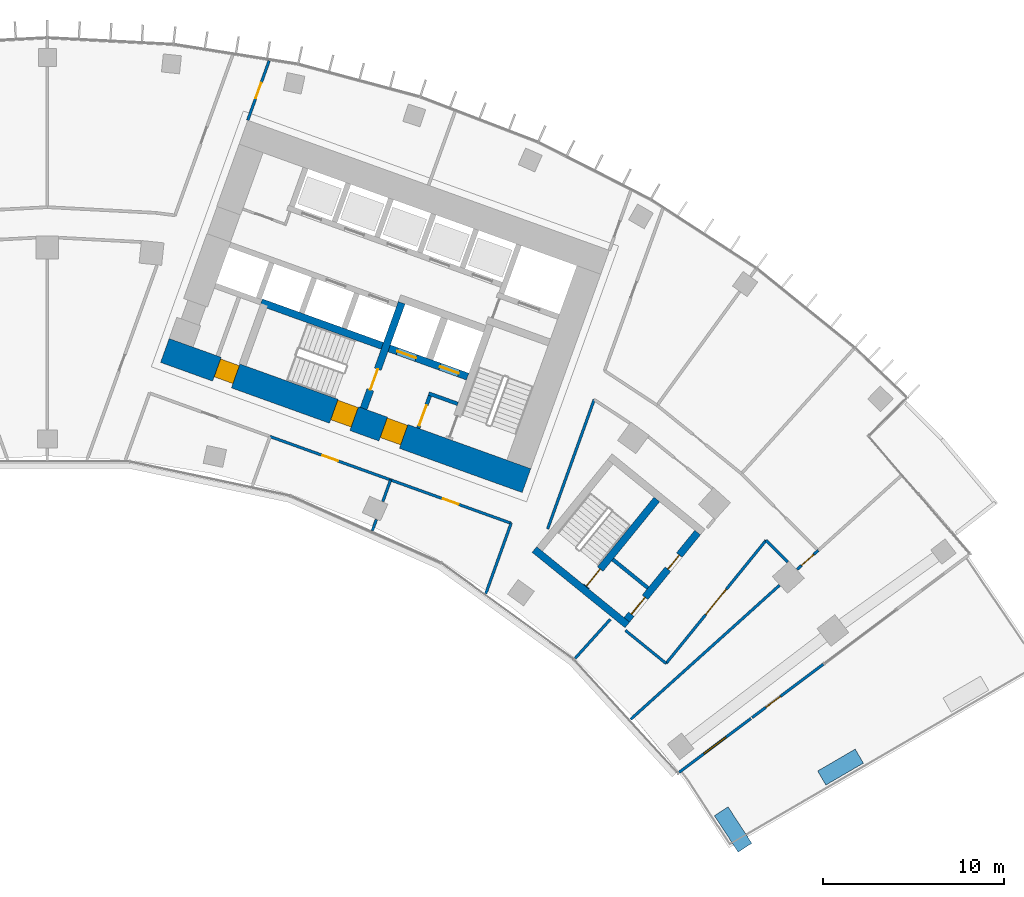
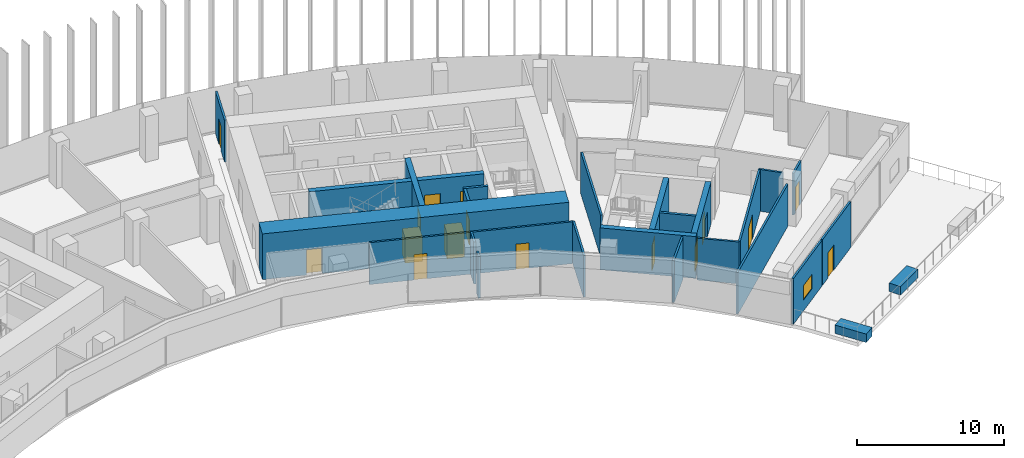
# One storey, part 18 of 23: 26 walls, 16 doors, 1 window, 17 openings.
"""IFC4 building model written with IfcOpenShell, lengths in metres."""

import ifcopenshell
import ifcopenshell.guid

model = None  # the IFC model being written
_history = None  # IfcOwnerHistory: only IFC2X3 demands one
_inside = {}  # id of a spatial element -> (the spatial element, [elements in it])
_under = {}  # id of a project, library or spatial element -> (it, [spatial elements below it])
_declared = {}  # id of a project -> (the project, [libraries it declares])
_typed = {}  # id of a type object -> (the type object, [elements of that type])
_made_of = {}  # id of a material, layer set ... -> (it, [elements and type objects made of it])


def new_model(schema):
    """Start an empty IFC model of exactly this schema.

    Asked for "IFC4X3", IfcOpenShell would pick the latest addendum, in which some entities
    have other attributes; the version numbers below select the first issue.
    IFC2X3 requires an IfcOwnerHistory on every rooted entity: one is made here for all.
    """
    global model, _history
    if schema == "IFC4X3":
        model = ifcopenshell.file(schema_version=(4, 3, 0, 0))
    else:
        model = ifcopenshell.file(schema=schema)
    _inside.clear()
    _under.clear()
    _declared.clear()
    _typed.clear()
    _made_of.clear()
    _history = None
    if model.schema == "IFC2X3":
        org = make("IfcOrganization", Name="unknown")
        user = make(
            "IfcPersonAndOrganization",
            ThePerson=make("IfcPerson", FamilyName="unknown"),
            TheOrganization=org,
        )
        app = make(
            "IfcApplication",
            ApplicationDeveloper=org,
            Version="unknown",
            ApplicationFullName="unknown",
            ApplicationIdentifier="unknown",
        )
        _history = make(
            "IfcOwnerHistory",
            OwningUser=user,
            OwningApplication=app,
            ChangeAction="ADDED",
            CreationDate=0,
        )
    return model


def make(cls, **values):
    """One entity of the class cls with the attributes given. An attribute that is None is left unset."""
    return model.create_entity(
        cls, **{name: value for name, value in values.items() if value is not None}
    )


def rooted(cls, **values):
    """An entity with a GlobalId (a new one), such as an element, a storey or a relation."""
    return make(cls, GlobalId=ifcopenshell.guid.new(), OwnerHistory=_history, **values)


def si_unit(unit_type, name, prefix=None):
    """IfcSIUnit, for example si_unit("LENGTHUNIT", "METRE", prefix="MILLI")."""
    return make("IfcSIUnit", UnitType=unit_type, Prefix=prefix, Name=name)


def assignment(units):
    """IfcUnitAssignment: the units of a project."""
    return None if units is None else make("IfcUnitAssignment", Units=units)


def point(xyz):
    """IfcCartesianPoint."""
    return None if xyz is None else make("IfcCartesianPoint", Coordinates=xyz)


def direction(xyz):
    """IfcDirection."""
    return None if xyz is None else make("IfcDirection", DirectionRatios=xyz)


def frame(location, z_axis=None, x_axis=None):
    """IfcAxis2Placement3D, a coordinate frame: its origin and axes. An axis left out is left unset."""
    return make(
        "IfcAxis2Placement3D",
        Location=point(location),
        Axis=direction(z_axis),
        RefDirection=direction(x_axis),
    )


def frame_2d(location, x_axis=None):
    """IfcAxis2Placement2D, a coordinate frame in the plane: its origin and x axis."""
    return make(
        "IfcAxis2Placement2D", Location=point(location), RefDirection=direction(x_axis)
    )


def origin():
    """The frame at (0, 0, 0) with its axes left unset."""
    return frame((0.0, 0.0, 0.0))


def origin_2d():
    """The frame at (0, 0) in the plane with its x axis left unset."""
    return frame_2d((0.0, 0.0))


def place(relative_to, where):
    """IfcLocalPlacement: puts the frame where relative to a parent placement (None: the world)."""
    return make(
        "IfcLocalPlacement", PlacementRelTo=relative_to, RelativePlacement=where
    )


def context(
    kind, dimensions, precision=None, world=None, true_north=None, identifier=None
):
    """IfcGeometricRepresentationContext, for example the 3D "Model" context."""
    return make(
        "IfcGeometricRepresentationContext",
        ContextIdentifier=identifier,
        ContextType=kind,
        CoordinateSpaceDimension=dimensions,
        Precision=precision,
        WorldCoordinateSystem=world,
        TrueNorth=true_north,
    )


def subcontext(parent, identifier, kind, view, scale=None):
    """IfcGeometricRepresentationSubContext, for example "Body" below "Model"."""
    return make(
        "IfcGeometricRepresentationSubContext",
        ContextIdentifier=identifier,
        ContextType=kind,
        ParentContext=parent,
        TargetScale=scale,
        TargetView=view,
    )


def project(units=None, contexts=None):
    """IfcProject with its units and contexts."""
    return rooted(
        "IfcProject",
        Name="project",
        RepresentationContexts=contexts,
        UnitsInContext=assignment(units),
    )


def spatial(cls, under=None, at=None, **own):
    """A site, building, storey or space (cls), placed at a placement, below another one or the project."""
    s = rooted(cls, ObjectPlacement=at, **own)
    if under is not None:
        _under.setdefault(under.id(), (under, []))[1].append(s)
    return s


def profile(cls, at=None, kind="AREA", **sizes):
    """A parametric profile (cls). Its sizes go by their IFC names, for example OverallWidth=200.0."""
    return make(cls, ProfileType=kind, Position=at, **sizes)


def rectangle(**sizes):
    """IfcRectangleProfileDef."""
    return profile("IfcRectangleProfileDef", **sizes)


def extrude(swept, where, along, depth):
    """IfcExtrudedAreaSolid: the profile swept, set in the frame where, extruded along a direction by depth."""
    return make(
        "IfcExtrudedAreaSolid",
        SweptArea=swept,
        Position=where,
        ExtrudedDirection=direction(along),
        Depth=depth,
    )


def shape(context_of_items, identifier, shape_type, items):
    """IfcShapeRepresentation: the items that make up one representation, for example the "Body"."""
    return make(
        "IfcShapeRepresentation",
        ContextOfItems=context_of_items,
        RepresentationIdentifier=identifier,
        RepresentationType=shape_type,
        Items=items,
    )


def material(Name=None, Category=None):
    """IfcMaterial."""
    return make("IfcMaterial", Name=Name, Category=Category)


def layer(
    of_material, thickness, ventilated=None, Name=None, Category=None, Priority=None
):
    """IfcMaterialLayer: one layer of a wall or slab, of a material (None: an air gap)."""
    return make(
        "IfcMaterialLayer",
        Material=of_material,
        LayerThickness=thickness,
        IsVentilated=ventilated,
        Name=Name,
        Category=Category,
        Priority=Priority,
    )


def layer_set(layers, Name=None):
    """IfcMaterialLayerSet."""
    return make("IfcMaterialLayerSet", MaterialLayers=layers, LayerSetName=Name)


def made_of(thing, what):
    """Note that an element or type object is made of a material, layer set ...; save() writes the relation."""
    if what is not None:
        _made_of.setdefault(what.id(), (what, []))[1].append(thing)
    return thing


def type_object(cls, material=None, **own):
    """A type object (cls), such as IfcWallType, which elements share."""
    return made_of(rooted(cls, **own), material)


def element(
    cls,
    number,
    at=None,
    inside=None,
    cuts=None,
    type_object=None,
    material=None,
    context=None,
    identifier="Body",
    shape_type=None,
    held_by="IfcProductDefinitionShape",
    body=None,
    shapes=None,
    **own,
):
    """One element of the class cls, such as IfcWall. Its Tag is "e" and its number.

    at: its placement. inside: the storey or other place that contains it. cuts: it is an
    opening in that element (IfcRelVoidsElement). A single representation is given by context,
    identifier, shape_type and body (its items); several are given by shapes. held_by: the class
    of the entity that holds the representations. save() writes the other relations.
    """
    e = rooted(cls, Tag="e%d" % number, ObjectPlacement=at, **own)
    if body is not None:
        shapes = [shape(context, identifier, shape_type, body)]
    if shapes is not None:
        e.Representation = make(held_by, Representations=shapes)
    if inside is not None:
        _inside.setdefault(inside.id(), (inside, []))[1].append(e)
    if cuts is not None:
        rooted(
            "IfcRelVoidsElement", RelatingBuildingElement=cuts, RelatedOpeningElement=e
        )
    if type_object is not None:
        _typed.setdefault(type_object.id(), (type_object, []))[1].append(e)
    return made_of(e, material)


def fill(opening, filler):
    """IfcRelFillsElement: the door or window that sits in an opening."""
    return rooted(
        "IfcRelFillsElement",
        RelatingOpeningElement=opening,
        RelatedBuildingElement=filler,
    )


def aggregate(whole, parts):
    """IfcRelAggregates: a whole, such as a stair, and the parts it consists of."""
    return rooted("IfcRelAggregates", RelatingObject=whole, RelatedObjects=parts)


def save(model, path):
    """Write the relations noted so far, then the file.

    IfcRelAggregates (storeys below a building ...), IfcRelContainedInSpatialStructure (elements
    in a storey), IfcRelDefinesByType, IfcRelAssociatesMaterial and IfcRelDeclares: one each for
    every whole, place, type object, material and project.
    """
    for whole, parts in _under.values():
        aggregate(whole, parts)
    for where, things in _inside.values():
        rooted(
            "IfcRelContainedInSpatialStructure",
            RelatedElements=things,
            RelatingStructure=where,
        )
    for kind, things in _typed.values():
        rooted("IfcRelDefinesByType", RelatedObjects=things, RelatingType=kind)
    for what, things in _made_of.values():
        rooted("IfcRelAssociatesMaterial", RelatedObjects=things, RelatingMaterial=what)
    for by, libraries in _declared.values():
        rooted("IfcRelDeclares", RelatingContext=by, RelatedDefinitions=libraries)
    model.write(path)


model = new_model("IFC4")

# Units and contexts
model_context = context("Model", 3, precision=1e-05, world=origin(), true_north=direction((0.0, 1.0)))
body_context = subcontext(model_context, "Body", "Model", "MODEL_VIEW")
ifc_project = project(units=[si_unit("LENGTHUNIT", "METRE"), si_unit("AREAUNIT", "SQUARE_METRE"), si_unit("VOLUMEUNIT", "CUBIC_METRE"), si_unit("PLANEANGLEUNIT", "RADIAN"), si_unit("MASSUNIT", "GRAM", prefix="KILO")], contexts=[model_context])

# Site, building, storey
site_placement = place(None, origin())
site = spatial("IfcSite", under=ifc_project, at=site_placement, CompositionType="ELEMENT")
building_placement = place(site_placement, origin())
building = spatial("IfcBuilding", under=site, at=building_placement, Name="Stone Belt Terrace Tower", CompositionType="ELEMENT")
storey_placement = place(building_placement, frame((0.0, 0.0, 144.0)))
storey = spatial("IfcBuildingStorey", under=building, at=storey_placement, Name="L34", CompositionType="ELEMENT", Elevation=144.0)

# Wall, opening, window
ifc_material_1 = material(Name="Terracotta coloured glazed ceramic", Category="masonry")
ifc_layer_1 = layer(ifc_material_1, 0.14990234375)
ifc_layer_set_1 = layer_set([ifc_layer_1], Name="Ceramic rain-screen wall 150")
wall_type_1 = type_object("IfcWallType", Name="Ceramic rain-screen wall 150", PredefinedType="SOLIDWALL", material=ifc_layer_set_1)
wall_1_placement = place(storey_placement, frame((34.85400390625, 26.0478515625, 0.0), z_axis=(0.0, 0.0, 1.0), x_axis=(0.79997039425, 0.600039472305, 0.0)))
wall_1 = element("IfcWall", 1, at=wall_1_placement, inside=storey, type_object=wall_type_1, Name="Door wall L34", PredefinedType="SOLIDWALL", context=body_context, shape_type="SweptSolid", body=[
    extrude(rectangle(XDim=4.947998046875, YDim=0.14990234375, at=frame_2d((2.47412109375, 0.0))), origin(), (0.0, 0.0, 1.0), 3.800048828125),
])
opening_1_placement = place(wall_1_placement, frame((1.72412109375, 0.0, 0.89990234375)))
opening_1 = element("IfcOpeningElement", 2, at=opening_1_placement, cuts=wall_1, Name="Opening L34-E01", PredefinedType="OPENING", context=body_context, shape_type="SweptSolid", body=[
    extrude(rectangle(XDim=1.5, YDim=1.199951171875, at=frame_2d((0.75, 0.60009765625))), frame((0.0, 0.0849609375, 0.0), z_axis=(0.0, -1.0, 0.0), x_axis=(1.0, 0.0, 0.0)), (0.0, 0.0, 1.0), 0.169921875),
])
ifc_material_2 = material(Name="Anodised aluminium window frame", Category="aluminium")
window_type = type_object("IfcWindowType", Name="Conservatory vent window 1500 x 1200", PartitioningType="SINGLE_PANEL", PredefinedType="WINDOW", material=ifc_material_2)
window_placement = place(opening_1_placement, origin())
window = element("IfcWindow", 3, at=window_placement, inside=storey, type_object=window_type, Name="Conservatory vent window L34", OverallHeight=1.199951171875, OverallWidth=1.5, PartitioningType="SINGLE_PANEL", PredefinedType="WINDOW", context=body_context, shape_type="SweptSolid", body=[
    extrude(rectangle(XDim=1.5, YDim=1.199951171875, at=frame_2d((0.75, 0.60009765625))), frame((0.0, 0.030029296875, 0.0), z_axis=(0.0, -1.0, 0.0), x_axis=(1.0, 0.0, 0.0)), (0.0, 0.0, 1.0), 0.06005859375),
])
fill(opening_1, window)

# Wall, opening, door
wall_2_placement = place(storey_placement, frame((38.87646484375, 29.06494140625, 0.0), z_axis=(0.0, 0.0, 1.0), x_axis=(0.799994045039, 0.600007939865, 0.0)))
wall_2 = element("IfcWall", 4, at=wall_2_placement, inside=storey, type_object=wall_type_1, Name="Door wall L34", PredefinedType="SOLIDWALL", context=body_context, shape_type="SweptSolid", body=[
    extrude(rectangle(XDim=4.919677734375, YDim=0.14990234375, at=frame_2d((2.4599609375, 0.0))), origin(), (0.0, 0.0, 1.0), 3.800048828125),
])
opening_2_placement = place(wall_2_placement, frame((0.949951171875, 0.0, 0.0)))
opening_2 = element("IfcOpeningElement", 5, at=opening_2_placement, cuts=wall_2, Name="Opening L34-E02", PredefinedType="OPENING", context=body_context, shape_type="SweptSolid", body=[
    extrude(rectangle(XDim=1.0, YDim=2.10009765625, at=frame_2d((0.5, 1.050048828125))), frame((0.0, 0.0849609375, 0.0), z_axis=(0.0, -1.0, 0.0), x_axis=(1.0, 0.0, 0.0)), (0.0, 0.0, 1.0), 0.169921875),
])
ifc_material_3 = material(Name="Anodised aluminium glazed door", Category="aluminium")
door_type_1 = type_object("IfcDoorType", Name="Terrace door 1000 x 2100", OperationType="NOTDEFINED", PredefinedType="DOOR", material=ifc_material_3)
door_1_placement = place(opening_2_placement, origin())
door_1 = element("IfcDoor", 6, at=door_1_placement, inside=storey, type_object=door_type_1, Name="Terrace door L34", OperationType="SINGLE_SWING_RIGHT", OverallHeight=2.10009765625, OverallWidth=1.0, PredefinedType="DOOR", context=body_context, shape_type="SweptSolid", body=[
    extrude(rectangle(XDim=1.0, YDim=2.10009765625, at=frame_2d((0.5, 1.050048828125))), frame((0.0, 0.02490234375, 0.0), z_axis=(0.0, -1.0, 0.0), x_axis=(1.0, 0.0, 0.0)), (0.0, 0.0, 1.0), 0.050048828125),
])
fill(opening_2, door_1)

# Wall, openings, doors
ifc_material_4 = material(Name="Concrete B80", Category="concrete")
ifc_layer_2 = layer(ifc_material_4, 1.39990234375)
ifc_layer_set_2 = layer_set([ifc_layer_2], Name="Core wall 1400 B80")
wall_type_2 = type_object("IfcWallType", Name="Core wall 1400 B80", PredefinedType="SHEAR", material=ifc_layer_set_2)
wall_3_placement = place(storey_placement, frame((6.4833984375, 49.318115234375, 0.0), z_axis=(0.0, 0.0, 1.0), x_axis=(0.940923374003, -0.33861955681, 0.0)))
wall_3 = element("IfcWall", 7, at=wall_3_placement, inside=storey, type_object=wall_type_2, Name="Core B wall concave L34", PredefinedType="SHEAR", context=body_context, shape_type="SweptSolid", body=[
    extrude(rectangle(XDim=21.199951171875, YDim=1.39990234375, at=frame_2d((10.60009765625, 0.0))), origin(), (0.0, 0.0, 1.0), 3.800048828125),
])
opening_3_placement = place(wall_3_placement, frame((12.800048828125, 0.0, 0.0)))
opening_3 = element("IfcOpeningElement", 8, at=opening_3_placement, cuts=wall_3, Name="Opening L34-C16", PredefinedType="OPENING", context=body_context, shape_type="SweptSolid", body=[
    extrude(rectangle(XDim=1.199951171875, YDim=2.10009765625, at=frame_2d((0.60009765625, 1.050048828125))), frame((0.0, 0.7099609375, 0.0), z_axis=(0.0, -1.0, 0.0), x_axis=(1.0, 0.0, 0.0)), (0.0, 0.0, 1.0), 1.419921875),
])
opening_4_placement = place(wall_3_placement, frame((9.89990234375, 0.0, 0.0)))
opening_4 = element("IfcOpeningElement", 9, at=opening_4_placement, cuts=wall_3, Name="Opening L34-C18", PredefinedType="OPENING", context=body_context, shape_type="SweptSolid", body=[
    extrude(rectangle(XDim=1.199951171875, YDim=2.10009765625, at=frame_2d((0.60009765625, 1.050048828125))), frame((0.0, 0.7099609375, 0.0), z_axis=(0.0, -1.0, 0.0), x_axis=(1.0, 0.0, 0.0)), (0.0, 0.0, 1.0), 1.419921875),
])
opening_5_placement = place(wall_3_placement, frame((3.050048828125, 0.0, 0.0)))
opening_5 = element("IfcOpeningElement", 10, at=opening_5_placement, cuts=wall_3, Name="Opening L34-C20", PredefinedType="OPENING", context=body_context, shape_type="SweptSolid", body=[
    extrude(rectangle(XDim=1.10009765625, YDim=2.10009765625, at=frame_2d((0.550048828125, 1.050048828125))), frame((0.0, 0.7099609375, 0.0), z_axis=(0.0, -1.0, 0.0), x_axis=(1.0, 0.0, 0.0)), (0.0, 0.0, 1.0), 1.419921875),
])
ifc_material_5 = material(Name="Timber door leaf", Category="wood")
door_type_2 = type_object("IfcDoorType", Name="Core room door 1100", OperationType="SINGLE_SWING_LEFT", PredefinedType="DOOR", material=ifc_material_5)
door_2_placement = place(opening_5_placement, origin())
door_2 = element("IfcDoor", 11, at=door_2_placement, inside=storey, type_object=door_type_2, Name="Door to Communications riser room core B", OperationType="SINGLE_SWING_LEFT", OverallHeight=2.10009765625, OverallWidth=1.10009765625, PredefinedType="DOOR", context=body_context, shape_type="SweptSolid", body=[
    extrude(rectangle(XDim=1.10009765625, YDim=2.10009765625, at=frame_2d((0.550048828125, 1.050048828125))), frame((0.0, 0.60498046875, 0.0), z_axis=(0.0, -1.0, 0.0), x_axis=(1.0, 0.0, 0.0)), (0.0, 0.0, 1.0), 1.050048828125),
])
fill(opening_5, door_2)
ifc_material_6 = material(Name="Steel door leaf", Category="steel")
door_type_3 = type_object("IfcDoorType", Name="Fire-fighting lobby door 1200", OperationType="SINGLE_SWING_LEFT", PredefinedType="DOOR", material=ifc_material_6)
door_3_placement = place(opening_3_placement, origin())
door_3 = element("IfcDoor", 12, at=door_3_placement, inside=storey, type_object=door_type_3, Name="Fire-fighting lobby door core B", OperationType="SINGLE_SWING_LEFT", OverallHeight=2.10009765625, OverallWidth=1.199951171875, PredefinedType="DOOR", context=body_context, shape_type="SweptSolid", body=[
    extrude(rectangle(XDim=1.199951171875, YDim=2.10009765625, at=frame_2d((0.60009765625, 1.050048828125))), frame((0.0, 0.655029296875, 0.0), z_axis=(0.0, -1.0, 0.0), x_axis=(1.0, 0.0, 0.0)), (0.0, 0.0, 1.0), 1.14990234375),
])
fill(opening_3, door_3)
door_type_4 = type_object("IfcDoorType", Name="Stair door 1200", OperationType="SINGLE_SWING_LEFT", PredefinedType="DOOR", material=ifc_material_6)
door_4_placement = place(opening_4_placement, origin())
door_4 = element("IfcDoor", 13, at=door_4_placement, inside=storey, type_object=door_type_4, Name="Stair 2 exit door core B", OperationType="SINGLE_SWING_RIGHT", OverallHeight=2.10009765625, OverallWidth=1.199951171875, PredefinedType="DOOR", context=body_context, shape_type="SweptSolid", body=[
    extrude(rectangle(XDim=1.199951171875, YDim=2.10009765625, at=frame_2d((0.60009765625, 1.050048828125))), frame((0.0, 0.655029296875, 0.0), z_axis=(0.0, -1.0, 0.0), x_axis=(1.0, 0.0, 0.0)), (0.0, 0.0, 1.0), 1.14990234375),
])
fill(opening_4, door_4)

# Wall, opening, door
ifc_material_7 = material(Name="Gypsum board partition")
ifc_layer_3 = layer(ifc_material_7, 0.14990234375)
ifc_layer_set_3 = layer_set([ifc_layer_3], Name="PARTITION 150 EI 60")
wall_type_3 = type_object("IfcWallType", Name="PARTITION 150 EI 60", PredefinedType="PARTITIONING", material=ifc_layer_set_3)
wall_4_placement = place(storey_placement, frame((12.23486328125, 65.297119140625, 0.0), z_axis=(0.0, 0.0, 1.0), x_axis=(-0.338853532575, -0.94083913793, 0.0)))
wall_4 = element("IfcWall", 14, at=wall_4_placement, inside=storey, type_object=wall_type_3, Name="L34/wall/i020", PredefinedType="PARTITIONING", context=body_context, shape_type="SweptSolid", body=[
    extrude(rectangle(XDim=3.482177734375, YDim=0.14990234375, at=frame_2d((1.7412109375, 0.0))), origin(), (0.0, 0.0, 1.0), 3.47998046875),
])
opening_6_placement = place(wall_4_placement, frame((1.291015625, 0.0, 0.0)))
opening_6 = element("IfcOpeningElement", 15, at=opening_6_placement, cuts=wall_4, Name="Opening D-SK1-09", PredefinedType="OPENING", context=body_context, shape_type="SweptSolid", body=[
    extrude(rectangle(XDim=0.89990234375, YDim=2.10009765625, at=frame_2d((0.449951171875, 1.050048828125))), frame((0.0, 0.0849609375, 0.0), z_axis=(0.0, -1.0, 0.0), x_axis=(1.0, 0.0, 0.0)), (0.0, 0.0, 1.0), 0.169921875),
])
door_type_5 = type_object("IfcDoorType", Name="OFFICE DOOR 900 X 2100", OperationType="NOTDEFINED", PredefinedType="DOOR", material=ifc_material_5)
door_5_placement = place(opening_6_placement, origin())
door_5 = element("IfcDoor", 16, at=door_5_placement, inside=storey, type_object=door_type_5, Name="L34/door/i09", OperationType="SINGLE_SWING_RIGHT", OverallHeight=2.10009765625, OverallWidth=0.89990234375, PredefinedType="DOOR", context=body_context, shape_type="SweptSolid", body=[
    extrude(rectangle(XDim=0.89990234375, YDim=2.10009765625, at=frame_2d((0.449951171875, 1.050048828125))), frame((0.0, 0.02490234375, 0.0), z_axis=(0.0, -1.0, 0.0), x_axis=(1.0, 0.0, 0.0)), (0.0, 0.0, 1.0), 0.050048828125),
])
fill(opening_6, door_5)

# Walls
wall_5_placement = place(storey_placement, frame((24.18603515625, 35.902099609375, 0.0), z_axis=(0.0, 0.0, 1.0), x_axis=(0.338545933013, 0.940949866486, 0.0)))
element("IfcWall", 17, at=wall_5_placement, inside=storey, type_object=wall_type_3, Name="L34/wall/i023", PredefinedType="PARTITIONING", context=body_context, shape_type="SweptSolid", body=[
    extrude(rectangle(XDim=4.135009765625, YDim=0.14990234375, at=frame_2d((2.0673828125, 0.0))), origin(), (0.0, 0.0, 1.0), 3.47998046875),
])
wall_6_placement = place(storey_placement, frame((30.1669921875, 46.612060546875, 0.0), z_axis=(0.0, 0.0, 1.0), x_axis=(-0.338694393991, -0.940896438233, 0.0)))
element("IfcWall", 18, at=wall_6_placement, inside=storey, type_object=wall_type_3, Name="L34/wall/i025", PredefinedType="PARTITIONING", context=body_context, shape_type="SweptSolid", body=[
    extrude(rectangle(XDim=7.585205078125, YDim=0.14990234375, at=frame_2d((3.79248046875, 0.0))), origin(), (0.0, 0.0, 1.0), 3.47998046875),
])
wall_7_placement = place(storey_placement, frame((31.054931640625, 34.489990234375, 0.0), z_axis=(0.0, 0.0, 1.0), x_axis=(-0.669108362487, -0.743164853347, 0.0)))
element("IfcWall", 19, at=wall_7_placement, inside=storey, type_object=wall_type_3, Name="L34/wall/i026", PredefinedType="PARTITIONING", context=body_context, shape_type="SweptSolid", body=[
    extrude(rectangle(XDim=2.910888671875, YDim=0.14990234375, at=frame_2d((1.45556640625, 0.0))), origin(), (0.0, 0.0, 1.0), 3.47998046875),
])

# Wall, opening, door
wall_8_placement = place(storey_placement, frame((18.94091796875, 42.177978515625, 0.0), z_axis=(0.0, 0.0, 1.0), x_axis=(-0.940930050063, 0.338601005444, 0.0)))
wall_8 = element("IfcWall", 20, at=wall_8_placement, inside=storey, type_object=wall_type_3, Name="L34/wall/i029", PredefinedType="PARTITIONING", context=body_context, shape_type="SweptSolid", body=[
    extrude(rectangle(XDim=7.0791015625, YDim=0.14990234375, at=frame_2d((3.53955078125, 0.0))), origin(), (0.0, 0.0, 1.0), 3.47998046875),
])
opening_7_placement = place(wall_8_placement, frame((3.089599609375, 0.0, 0.0)))
opening_7 = element("IfcOpeningElement", 21, at=opening_7_placement, cuts=wall_8, Name="Opening D-SK1-07", PredefinedType="OPENING", context=body_context, shape_type="SweptSolid", body=[
    extrude(rectangle(XDim=0.89990234375, YDim=2.10009765625, at=frame_2d((0.449951171875, 1.050048828125))), frame((0.0, 0.0849609375, 0.0), z_axis=(0.0, -1.0, 0.0), x_axis=(1.0, 0.0, 0.0)), (0.0, 0.0, 1.0), 0.169921875),
])
door_6_placement = place(opening_7_placement, origin())
door_6 = element("IfcDoor", 22, at=door_6_placement, inside=storey, type_object=door_type_5, Name="L34/door/i07", OperationType="SINGLE_SWING_RIGHT", OverallHeight=2.10009765625, OverallWidth=0.89990234375, PredefinedType="DOOR", context=body_context, shape_type="SweptSolid", body=[
    extrude(rectangle(XDim=0.89990234375, YDim=2.10009765625, at=frame_2d((0.449951171875, 1.050048828125))), frame((0.0, 0.02490234375, 0.0), z_axis=(0.0, -1.0, 0.0), x_axis=(1.0, 0.0, 0.0)), (0.0, 0.0, 1.0), 0.050048828125),
])
fill(opening_7, door_6)

wall_9_placement = place(storey_placement, frame((25.583984375, 39.787109375, 0.0), z_axis=(0.0, 0.0, 1.0), x_axis=(-0.940934046642, 0.338589899245, 0.0)))
wall_9 = element("IfcWall", 23, at=wall_9_placement, inside=storey, type_object=wall_type_3, Name="L34/wall/i030", PredefinedType="PARTITIONING", context=body_context, shape_type="SweptSolid", body=[
    extrude(rectangle(XDim=7.07275390625, YDim=0.14990234375, at=frame_2d((3.536376953125, 0.0))), origin(), (0.0, 0.0, 1.0), 3.47998046875),
])
opening_8_placement = place(wall_9_placement, frame((3.08642578125, 0.0, 0.0)))
opening_8 = element("IfcOpeningElement", 24, at=opening_8_placement, cuts=wall_9, Name="Opening D-SK1-08", PredefinedType="OPENING", context=body_context, shape_type="SweptSolid", body=[
    extrude(rectangle(XDim=0.89990234375, YDim=2.10009765625, at=frame_2d((0.449951171875, 1.050048828125))), frame((0.0, 0.0849609375, 0.0), z_axis=(0.0, -1.0, 0.0), x_axis=(1.0, 0.0, 0.0)), (0.0, 0.0, 1.0), 0.169921875),
])
door_7_placement = place(opening_8_placement, origin())
door_7 = element("IfcDoor", 25, at=door_7_placement, inside=storey, type_object=door_type_5, Name="L34/door/i08", OperationType="SINGLE_SWING_RIGHT", OverallHeight=2.10009765625, OverallWidth=0.89990234375, PredefinedType="DOOR", context=body_context, shape_type="SweptSolid", body=[
    extrude(rectangle(XDim=0.89990234375, YDim=2.10009765625, at=frame_2d((0.449951171875, 1.050048828125))), frame((0.0, 0.02490234375, 0.0), z_axis=(0.0, -1.0, 0.0), x_axis=(1.0, 0.0, 0.0)), (0.0, 0.0, 1.0), 0.050048828125),
])
fill(opening_8, door_7)

# Walls
wall_10_placement = place(storey_placement, frame((18.93505859375, 42.179931640625, 0.0), z_axis=(0.0, 0.0, 1.0), x_axis=(-0.338575757839, -0.940939135228, 0.0)))
element("IfcWall", 26, at=wall_10_placement, inside=storey, type_object=wall_type_3, Name="L34/wall/i032", PredefinedType="PARTITIONING", context=body_context, shape_type="SweptSolid", body=[
    extrude(rectangle(XDim=1.263427734375, YDim=0.14990234375, at=frame_2d((0.6318359375, 0.0))), origin(), (0.0, 0.0, 1.0), 3.47998046875),
])
wall_11_placement = place(storey_placement, frame((18.147705078125, 39.990966796875, 0.0), z_axis=(0.0, 0.0, 1.0), x_axis=(-0.338838262821, -0.94084463736, 0.0)))
element("IfcWall", 27, at=wall_11_placement, inside=storey, type_object=wall_type_3, Name="L34/wall/i033", PredefinedType="PARTITIONING", context=body_context, shape_type="SweptSolid", body=[
    extrude(rectangle(XDim=0.655029296875, YDim=0.14990234375, at=frame_2d((0.32763671875, 0.0))), origin(), (0.0, 0.0, 1.0), 3.47998046875),
])

# Wall, opening, door
wall_12_placement = place(storey_placement, frame((42.530029296875, 38.294921875, 0.0), z_axis=(0.0, 0.0, 1.0), x_axis=(-0.742885543222, -0.669418456327, 0.0)))
wall_12 = element("IfcWall", 28, at=wall_12_placement, inside=storey, type_object=wall_type_3, Name="L34/wall/i057", PredefinedType="PARTITIONING", context=body_context, shape_type="SweptSolid", body=[
    extrude(rectangle(XDim=1.5751953125, YDim=0.14990234375, at=frame_2d((0.78759765625, 0.0))), origin(), (0.0, 0.0, 1.0), 3.47998046875),
])
opening_9_placement = place(wall_12_placement, frame((0.337646484375, 0.0, 0.0)))
opening_9 = element("IfcOpeningElement", 29, at=opening_9_placement, cuts=wall_12, Name="Opening D-SK1-19", PredefinedType="OPENING", context=body_context, shape_type="SweptSolid", body=[
    extrude(rectangle(XDim=0.89990234375, YDim=2.10009765625, at=frame_2d((0.449951171875, 1.050048828125))), frame((0.0, 0.0849609375, 0.0), z_axis=(0.0, -1.0, 0.0), x_axis=(1.0, 0.0, 0.0)), (0.0, 0.0, 1.0), 0.169921875),
])
door_8_placement = place(opening_9_placement, origin())
door_8 = element("IfcDoor", 30, at=door_8_placement, inside=storey, type_object=door_type_5, Name="L34/door/i19", OperationType="SINGLE_SWING_RIGHT", OverallHeight=2.10009765625, OverallWidth=0.89990234375, PredefinedType="DOOR", context=body_context, shape_type="SweptSolid", body=[
    extrude(rectangle(XDim=0.89990234375, YDim=2.10009765625, at=frame_2d((0.449951171875, 1.050048828125))), frame((0.0, 0.02490234375, 0.0), z_axis=(0.0, -1.0, 0.0), x_axis=(1.0, 0.0, 0.0)), (0.0, 0.0, 1.0), 0.050048828125),
])
fill(opening_9, door_8)

# Walls
wall_13_placement = place(storey_placement, frame((32.17529296875, 28.970947265625, 0.0), z_axis=(0.0, 0.0, 1.0), x_axis=(0.743128216334, 0.669149052221, 0.0)))
element("IfcWall", 31, at=wall_13_placement, inside=storey, type_object=wall_type_3, Name="L34/wall/i058", PredefinedType="PARTITIONING", context=body_context, shape_type="SweptSolid", body=[
    extrude(rectangle(XDim=11.048828125, YDim=0.14990234375, at=frame_2d((5.5244140625, 0.0))), origin(), (0.0, 0.0, 1.0), 3.47998046875),
])
wall_14_placement = place(storey_placement, frame((40.83642578125, 37.650634765625, 0.0), z_axis=(0.0, 0.0, 1.0), x_axis=(-0.707178865062, 0.707034689962, 0.0)))
element("IfcWall", 32, at=wall_14_placement, inside=storey, type_object=wall_type_3, Name="L34/wall/i062", PredefinedType="PARTITIONING", context=body_context, shape_type="SweptSolid", body=[
    extrude(rectangle(XDim=1.693359375, YDim=0.14990234375, at=frame_2d((0.8466796875, 0.0))), origin(), (0.0, 0.0, 1.0), 3.47998046875),
])

# Wall, opening, door
wall_15_placement = place(storey_placement, frame((39.64306640625, 38.843994140625, 0.0), z_axis=(0.0, 0.0, 1.0), x_axis=(-0.630226712005, -0.776411161354, 0.0)))
wall_15 = element("IfcWall", 33, at=wall_15_placement, inside=storey, type_object=wall_type_3, Name="L34/wall/i067", PredefinedType="PARTITIONING", context=body_context, shape_type="SweptSolid", body=[
    extrude(rectangle(XDim=8.742919921875, YDim=0.14990234375, at=frame_2d((4.37158203125, 0.0))), origin(), (0.0, 0.0, 1.0), 3.47998046875),
])
opening_10_placement = place(wall_15_placement, frame((3.471435546875, 0.0, 0.0)))
opening_10 = element("IfcOpeningElement", 34, at=opening_10_placement, cuts=wall_15, Name="Opening D-SK1-21", PredefinedType="OPENING", context=body_context, shape_type="SweptSolid", body=[
    extrude(rectangle(XDim=1.800048828125, YDim=2.10009765625, at=frame_2d((0.89990234375, 1.050048828125))), frame((0.0, 0.0849609375, 0.0), z_axis=(0.0, -1.0, 0.0), x_axis=(1.0, 0.0, 0.0)), (0.0, 0.0, 1.0), 0.169921875),
])
door_type_6 = type_object("IfcDoorType", Name="DOUBLE DOOR 1800 X 2100", OperationType="DOUBLE_DOOR_SINGLE_SWING", PredefinedType="DOOR", material=ifc_material_5)
door_9_placement = place(opening_10_placement, origin())
door_9 = element("IfcDoor", 35, at=door_9_placement, inside=storey, type_object=door_type_6, Name="L34/door/i21", OperationType="DOUBLE_DOOR_SINGLE_SWING", OverallHeight=2.10009765625, OverallWidth=1.800048828125, PredefinedType="DOOR", context=body_context, shape_type="SweptSolid", body=[
    extrude(rectangle(XDim=1.800048828125, YDim=2.10009765625, at=frame_2d((0.89990234375, 1.050048828125))), frame((0.0, 0.02490234375, 0.0), z_axis=(0.0, -1.0, 0.0), x_axis=(1.0, 0.0, 0.0)), (0.0, 0.0, 1.0), 0.050048828125),
])
fill(opening_10, door_9)

# Walls
wall_16_placement = place(storey_placement, frame((34.133056640625, 32.055908203125, 0.0), z_axis=(0.0, 0.0, 1.0), x_axis=(-0.776369956068, 0.630277471686, 0.0)))
element("IfcWall", 36, at=wall_16_placement, inside=storey, type_object=wall_type_3, Name="L34/wall/i068", PredefinedType="PARTITIONING", context=body_context, shape_type="SweptSolid", body=[
    extrude(rectangle(XDim=2.8876953125, YDim=0.14990234375, at=frame_2d((1.44384765625, 0.0))), origin(), (0.0, 0.0, 1.0), 3.47998046875),
])
ifc_material_8 = material(Name="Precast concrete C40/50", Category="concrete")
ifc_layer_4 = layer(ifc_material_8, 0.89990234375)
ifc_layer_set_4 = layer_set([ifc_layer_4], Name="Planter box 900 x 700")
wall_type_4 = type_object("IfcWallType", Name="Planter box 900 x 700", PredefinedType="SOLIDWALL", material=ifc_layer_set_4)
for number, where, z_axis, x_axis, name in (
    (37, (37.829345703125, 22.896728515625, 0.0), (0.0, 0.0, 1.0), (0.546131502436, -0.837699458068, 0.0), "PLANTER L34 1"),
    (38, (43.755126953125, 26.338134765625, 0.0), (0.0, 0.0, 1.0), (0.864239322284, 0.503080901861, 0.0), "PLANTER L34 2"),
):
    element("IfcWall", number, at=place(storey_placement, frame(where, z_axis=z_axis, x_axis=x_axis)), inside=storey, type_object=wall_type_4, Name=name, PredefinedType="SOLIDWALL", context=body_context, shape_type="SweptSolid", body=[
        extrude(rectangle(XDim=2.39990234375, YDim=0.89990234375, at=origin_2d()), origin(), (0.0, 0.0, 1.0), 0.699951171875),
    ])
ifc_material_9 = material(Name="Concrete masonry block", Category="masonry")
ifc_layer_5 = layer(ifc_material_9, 0.199951171875)
ifc_layer_set_5 = layer_set([ifc_layer_5], Name="Rated lobby wall 200")
wall_type_5 = type_object("IfcWallType", Name="Rated lobby wall 200", PredefinedType="PARTITIONING", material=ifc_layer_set_5)
wall_17_placement = place(storey_placement, frame((22.640625, 46.373046875, 0.0), z_axis=(0.0, 0.0, 1.0), x_axis=(-0.940966110313, 0.338500781747, 0.0)))
element("IfcWall", 39, at=wall_17_placement, inside=storey, type_object=wall_type_5, Name="Core B wall", PredefinedType="PARTITIONING", context=body_context, shape_type="SweptSolid", body=[
    extrude(rectangle(XDim=1.699951171875, YDim=0.199951171875, at=frame_2d((0.85009765625, 0.0))), origin(), (0.0, 0.0, 1.0), 3.47998046875),
])

# Wall, opening, door
wall_18_placement = place(storey_placement, frame((20.4580078125, 45.032958984375, 0.0), z_axis=(0.0, 0.0, 1.0), x_axis=(0.338573865316, 0.940939816208, 0.0)))
wall_18 = element("IfcWall", 40, at=wall_18_placement, inside=storey, type_object=wall_type_5, Name="Core B wall", PredefinedType="PARTITIONING", context=body_context, shape_type="SweptSolid", body=[
    extrude(rectangle(XDim=1.900146484375, YDim=0.199951171875, at=frame_2d((0.9501953125, 0.0))), origin(), (0.0, 0.0, 1.0), 3.47998046875),
])
opening_11_placement = place(wall_18_placement, frame((0.14990234375, 0.0, 0.0)))
opening_11 = element("IfcOpeningElement", 41, at=opening_11_placement, cuts=wall_18, Name="Opening L34-C15", PredefinedType="OPENING", context=body_context, shape_type="SweptSolid", body=[
    extrude(rectangle(XDim=1.199951171875, YDim=2.10009765625, at=frame_2d((0.60009765625, 1.050048828125))), frame((0.0, 0.10986328125, 0.0), z_axis=(0.0, -1.0, 0.0), x_axis=(1.0, 0.0, 0.0)), (0.0, 0.0, 1.0), 0.219970703125),
])
door_10_placement = place(opening_11_placement, origin())
door_10 = element("IfcDoor", 42, at=door_10_placement, inside=storey, type_object=door_type_4, Name="Stair airlock door core B", OperationType="SINGLE_SWING_LEFT", OverallHeight=2.10009765625, OverallWidth=1.199951171875, PredefinedType="DOOR", context=body_context, shape_type="SweptSolid", body=[
    extrude(rectangle(XDim=1.199951171875, YDim=2.10009765625, at=frame_2d((0.60009765625, 1.050048828125))), frame((0.0, 0.02490234375, 0.0), z_axis=(0.0, -1.0, 0.0), x_axis=(1.0, 0.0, 0.0)), (0.0, 0.0, 1.0), 0.050048828125),
])
fill(opening_11, door_10)

# Wall
wall_19_placement = place(storey_placement, frame((31.190673828125, 37.79296875, 0.0), z_axis=(0.0, 0.0, 1.0), x_axis=(0.776370830301, -0.630276394813, 0.0)))
element("IfcWall", 43, at=wall_19_placement, inside=storey, type_object=wall_type_5, Name="Exit stair ST3B wall", PredefinedType="PARTITIONING", context=body_context, shape_type="SweptSolid", body=[
    extrude(rectangle(XDim=2.5, YDim=0.199951171875, at=frame_2d((1.25, 0.0))), origin(), (0.0, 0.0, 1.0), 3.47998046875),
])

# Wall, openings, doors
ifc_layer_6 = layer(ifc_material_4, 0.39990234375)
ifc_layer_set_6 = layer_set([ifc_layer_6], Name="Stair enclosure wall 400")
wall_type_6 = type_object("IfcWallType", Name="Stair enclosure wall 400", PredefinedType="SHEAR", material=ifc_layer_set_6)
wall_20_placement = place(storey_placement, frame((23.182373046875, 47.87841796875, 0.0), z_axis=(0.0, 0.0, 1.0), x_axis=(-0.940921101762, 0.338625870628, 0.0)))
wall_20 = element("IfcWall", 44, at=wall_20_placement, inside=storey, type_object=wall_type_6, Name="Core B wall", PredefinedType="SHEAR", context=body_context, shape_type="SweptSolid", body=[
    extrude(rectangle(XDim=12.10009765625, YDim=0.39990234375, at=frame_2d((6.050048828125, 0.0))), origin(), (0.0, 0.0, 1.0), 3.47998046875),
])
opening_12_placement = place(wall_20_placement, frame((0.52001953125, 0.0, 0.0)))
opening_12 = element("IfcOpeningElement", 45, at=opening_12_placement, cuts=wall_20, Name="Opening L34-LD16", PredefinedType="OPENING", context=body_context, shape_type="SweptSolid", body=[
    extrude(rectangle(XDim=1.10009765625, YDim=2.199951171875, at=frame_2d((0.550048828125, 1.10009765625))), frame((0.0, 0.2099609375, 0.0), z_axis=(0.0, -1.0, 0.0), x_axis=(1.0, 0.0, 0.0)), (0.0, 0.0, 1.0), 0.419921875),
])
opening_13_placement = place(wall_20_placement, frame((3.02001953125, 0.0, 0.0)))
opening_13 = element("IfcOpeningElement", 46, at=opening_13_placement, cuts=wall_20, Name="Opening L34-LD17", PredefinedType="OPENING", context=body_context, shape_type="SweptSolid", body=[
    extrude(rectangle(XDim=1.10009765625, YDim=2.199951171875, at=frame_2d((0.550048828125, 1.10009765625))), frame((0.0, 0.2099609375, 0.0), z_axis=(0.0, -1.0, 0.0), x_axis=(1.0, 0.0, 0.0)), (0.0, 0.0, 1.0), 0.419921875),
])
ifc_material_10 = material(Name="Stainless steel door leaf", Category="steel")
door_type_7 = type_object("IfcDoorType", Name="Landing door 1100", OperationType="SLIDING_TO_LEFT", PredefinedType="DOOR", material=ifc_material_10)
door_11_placement = place(opening_12_placement, origin())
door_11 = element("IfcDoor", 47, at=door_11_placement, inside=storey, type_object=door_type_7, Name="Landing door FF1 core B", OperationType="SLIDING_TO_LEFT", OverallHeight=2.199951171875, OverallWidth=1.10009765625, PredefinedType="DOOR", context=body_context, shape_type="SweptSolid", body=[
    extrude(rectangle(XDim=1.10009765625, YDim=2.199951171875, at=frame_2d((0.550048828125, 1.10009765625))), frame((0.0, 0.02490234375, 0.0), z_axis=(0.0, -1.0, 0.0), x_axis=(1.0, 0.0, 0.0)), (0.0, 0.0, 1.0), 0.050048828125),
])
fill(opening_12, door_11)
door_12_placement = place(opening_13_placement, origin())
door_12 = element("IfcDoor", 48, at=door_12_placement, inside=storey, type_object=door_type_7, Name="Landing door FF2 core B", OperationType="SLIDING_TO_LEFT", OverallHeight=2.199951171875, OverallWidth=1.10009765625, PredefinedType="DOOR", context=body_context, shape_type="SweptSolid", body=[
    extrude(rectangle(XDim=1.10009765625, YDim=2.199951171875, at=frame_2d((0.550048828125, 1.10009765625))), frame((0.0, 0.02490234375, 0.0), z_axis=(0.0, -1.0, 0.0), x_axis=(1.0, 0.0, 0.0)), (0.0, 0.0, 1.0), 0.050048828125),
])
fill(opening_13, door_12)

# Wall, opening, door
wall_21_placement = place(storey_placement, frame((17.447021484375, 46.116455078125, 0.0), z_axis=(0.0, 0.0, 1.0), x_axis=(0.33860791464, 0.940927563707, 0.0)))
wall_21 = element("IfcWall", 49, at=wall_21_placement, inside=storey, type_object=wall_type_6, Name="Core B wall", PredefinedType="SHEAR", context=body_context, shape_type="SweptSolid", body=[
    extrude(rectangle(XDim=6.199951171875, YDim=0.39990234375, at=frame_2d((3.10009765625, 0.0))), origin(), (0.0, 0.0, 1.0), 3.47998046875),
])
opening_14_placement = place(wall_21_placement, frame((1.10009765625, 0.0, 0.0)))
opening_14 = element("IfcOpeningElement", 50, at=opening_14_placement, cuts=wall_21, Name="Opening L34-C17", PredefinedType="OPENING", context=body_context, shape_type="SweptSolid", body=[
    extrude(rectangle(XDim=1.199951171875, YDim=2.10009765625, at=frame_2d((0.60009765625, 1.050048828125))), frame((0.0, 0.2099609375, 0.0), z_axis=(0.0, -1.0, 0.0), x_axis=(1.0, 0.0, 0.0)), (0.0, 0.0, 1.0), 0.419921875),
])
door_13_placement = place(opening_14_placement, origin())
door_13 = element("IfcDoor", 51, at=door_13_placement, inside=storey, type_object=door_type_4, Name="Stair 2 door core B", OperationType="SINGLE_SWING_LEFT", OverallHeight=2.10009765625, OverallWidth=1.199951171875, PredefinedType="DOOR", context=body_context, shape_type="SweptSolid", body=[
    extrude(rectangle(XDim=1.199951171875, YDim=2.10009765625, at=frame_2d((0.60009765625, 1.050048828125))), frame((0.0, 0.02490234375, 0.0), z_axis=(0.0, -1.0, 0.0), x_axis=(1.0, 0.0, 0.0)), (0.0, 0.0, 1.0), 0.050048828125),
])
fill(opening_14, door_13)

# Wall
wall_22_placement = place(storey_placement, frame((26.868408203125, 38.3388671875, 0.0), z_axis=(0.0, 0.0, 1.0), x_axis=(0.776428452498, -0.630205409491, 0.0)))
element("IfcWall", 52, at=wall_22_placement, inside=storey, type_object=wall_type_6, Name="Exit stair ST3B wall", PredefinedType="SHEAR", context=body_context, shape_type="SweptSolid", body=[
    extrude(rectangle(XDim=6.60009765625, YDim=0.39990234375, at=frame_2d((3.300048828125, 0.0))), origin(), (0.0, 0.0, 1.0), 3.47998046875),
])

# Wall, openings, doors
wall_23_placement = place(storey_placement, frame((31.963623046875, 34.460693359375, 0.0), z_axis=(0.0, 0.0, 1.0), x_axis=(0.630192283849, 0.776439106033, 0.0)))
wall_23 = element("IfcWall", 53, at=wall_23_placement, inside=storey, type_object=wall_type_6, Name="Exit stair ST3B wall", PredefinedType="SHEAR", context=body_context, shape_type="SweptSolid", body=[
    extrude(rectangle(XDim=6.199951171875, YDim=0.39990234375, at=frame_2d((3.10009765625, 0.0))), origin(), (0.0, 0.0, 1.0), 3.47998046875),
])
opening_15_placement = place(wall_23_placement, frame((0.39990234375, 0.0, 0.0)))
opening_15 = element("IfcOpeningElement", 54, at=opening_15_placement, cuts=wall_23, Name="Opening L34-C25", PredefinedType="OPENING", context=body_context, shape_type="SweptSolid", body=[
    extrude(rectangle(XDim=1.199951171875, YDim=2.10009765625, at=frame_2d((0.60009765625, 1.050048828125))), frame((0.0, 0.2099609375, 0.0), z_axis=(0.0, -1.0, 0.0), x_axis=(1.0, 0.0, 0.0)), (0.0, 0.0, 1.0), 0.419921875),
])
opening_16_placement = place(wall_23_placement, frame((3.60009765625, 0.0, 0.0)))
opening_16 = element("IfcOpeningElement", 55, at=opening_16_placement, cuts=wall_23, Name="Opening L34-C26", PredefinedType="OPENING", context=body_context, shape_type="SweptSolid", body=[
    extrude(rectangle(XDim=1.0, YDim=2.10009765625, at=frame_2d((0.5, 1.050048828125))), frame((0.0, 0.2099609375, 0.0), z_axis=(0.0, -1.0, 0.0), x_axis=(1.0, 0.0, 0.0)), (0.0, 0.0, 1.0), 0.419921875),
])
door_type_8 = type_object("IfcDoorType", Name="Core room door 1000", OperationType="SINGLE_SWING_LEFT", PredefinedType="DOOR", material=ifc_material_5)
door_14_placement = place(opening_16_placement, origin())
door_14 = element("IfcDoor", 56, at=door_14_placement, inside=storey, type_object=door_type_8, Name="Door to stair pressurisation plant room ST3B", OperationType="SINGLE_SWING_RIGHT", OverallHeight=2.10009765625, OverallWidth=1.0, PredefinedType="DOOR", context=body_context, shape_type="SweptSolid", body=[
    extrude(rectangle(XDim=1.0, YDim=2.10009765625, at=frame_2d((0.5, 1.050048828125))), frame((0.0, 0.02490234375, 0.0), z_axis=(0.0, -1.0, 0.0), x_axis=(1.0, 0.0, 0.0)), (0.0, 0.0, 1.0), 0.050048828125),
])
fill(opening_16, door_14)
door_type_9 = type_object("IfcDoorType", Name="Stair airlock door 1200", OperationType="SINGLE_SWING_LEFT", PredefinedType="DOOR", material=ifc_material_6)
door_15_placement = place(opening_15_placement, origin())
door_15 = element("IfcDoor", 57, at=door_15_placement, inside=storey, type_object=door_type_9, Name="Stair airlock door ST3B", OperationType="SINGLE_SWING_RIGHT", OverallHeight=2.10009765625, OverallWidth=1.199951171875, PredefinedType="DOOR", context=body_context, shape_type="SweptSolid", body=[
    extrude(rectangle(XDim=1.199951171875, YDim=2.10009765625, at=frame_2d((0.60009765625, 1.050048828125))), frame((0.0, 0.02490234375, 0.0), z_axis=(0.0, -1.0, 0.0), x_axis=(1.0, 0.0, 0.0)), (0.0, 0.0, 1.0), 0.050048828125),
])
fill(opening_15, door_15)

# Wall, opening, door
wall_24_placement = place(storey_placement, frame((29.7119140625, 36.288330078125, 0.0), z_axis=(0.0, 0.0, 1.0), x_axis=(0.630192283849, 0.776439106033, 0.0)))
wall_24 = element("IfcWall", 58, at=wall_24_placement, inside=storey, type_object=wall_type_6, Name="Exit stair ST3B wall", PredefinedType="SHEAR", context=body_context, shape_type="SweptSolid", body=[
    extrude(rectangle(XDim=6.199951171875, YDim=0.39990234375, at=frame_2d((3.10009765625, 0.0))), origin(), (0.0, 0.0, 1.0), 3.47998046875),
])
opening_17_placement = place(wall_24_placement, frame((0.050048828125, 0.0, 0.0)))
opening_17 = element("IfcOpeningElement", 59, at=opening_17_placement, cuts=wall_24, Name="Opening L34-C24", PredefinedType="OPENING", context=body_context, shape_type="SweptSolid", body=[
    extrude(rectangle(XDim=1.199951171875, YDim=2.10009765625, at=frame_2d((0.60009765625, 1.050048828125))), frame((0.0, 0.2099609375, 0.0), z_axis=(0.0, -1.0, 0.0), x_axis=(1.0, 0.0, 0.0)), (0.0, 0.0, 1.0), 0.419921875),
])
door_16_placement = place(opening_17_placement, origin())
door_16 = element("IfcDoor", 60, at=door_16_placement, inside=storey, type_object=door_type_4, Name="Stair door ST3B", OperationType="SINGLE_SWING_LEFT", OverallHeight=2.10009765625, OverallWidth=1.199951171875, PredefinedType="DOOR", context=body_context, shape_type="SweptSolid", body=[
    extrude(rectangle(XDim=1.199951171875, YDim=2.10009765625, at=frame_2d((0.60009765625, 1.050048828125))), frame((0.0, 0.02490234375, 0.0), z_axis=(0.0, -1.0, 0.0), x_axis=(1.0, 0.0, 0.0)), (0.0, 0.0, 1.0), 0.050048828125),
])
fill(opening_17, door_16)

save(model, "model.ifc")
